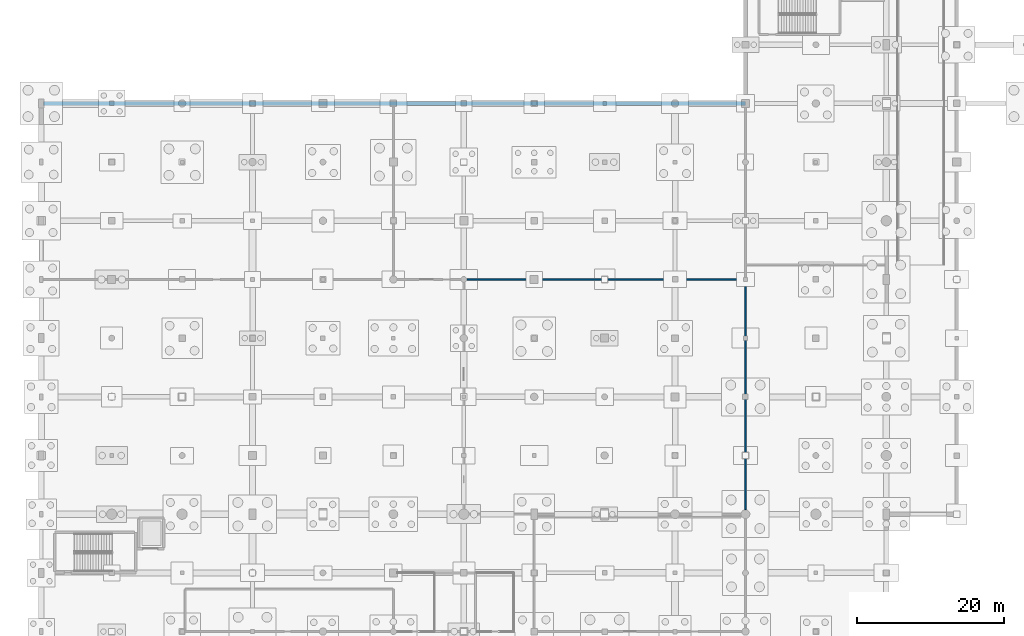
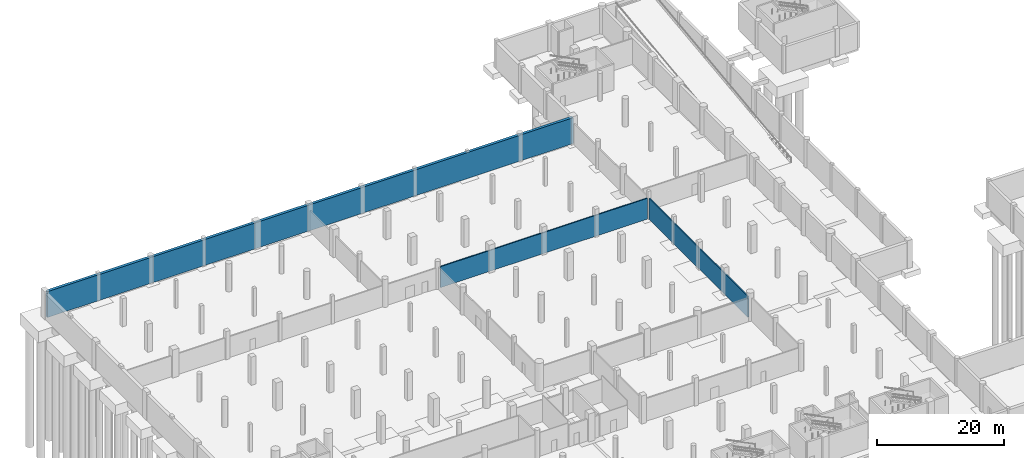
# One storey, part 23 of 44: 3 walls.
"""IFC4 building model written with IfcOpenShell, lengths in metres."""

from ifc_helpers import new_model, si_unit, direction, frame, frame_2d, origin, place, context, subcontext, project, spatial, rectangle, extrude, material, layer, layer_set, type_object, element, save


model = new_model("IFC4")

# Units and contexts
model_context = context("Model", 3, precision=1e-05, world=origin(), true_north=direction((0.0, 1.0)))
body_context = subcontext(model_context, "Body", "Model", "MODEL_VIEW")
ifc_project = project(units=[si_unit("LENGTHUNIT", "METRE"), si_unit("AREAUNIT", "SQUARE_METRE"), si_unit("VOLUMEUNIT", "CUBIC_METRE"), si_unit("PLANEANGLEUNIT", "RADIAN"), si_unit("MASSUNIT", "GRAM", prefix="KILO")], contexts=[model_context])

# Site, building, storey
site_placement = place(None, origin())
site = spatial("IfcSite", under=ifc_project, at=site_placement, CompositionType="ELEMENT")
building_placement = place(site_placement, origin())
building = spatial("IfcBuilding", under=site, at=building_placement, Name="Danafjord Basin Convention Centre", CompositionType="ELEMENT")
storey_placement = place(building_placement, frame((0.0, 0.0, -5.39990234375)))
storey = spatial("IfcBuildingStorey", under=building, at=storey_placement, Name="B1", CompositionType="ELEMENT", Elevation=-5.39990234375)

# Walls
ifc_material_1 = material(Name="Concrete C40/50", Category="concrete")
ifc_layer_1 = layer(ifc_material_1, 0.5)
ifc_layer_set_1 = layer_set([ifc_layer_1], Name="Concrete C40/50")
wall_type_1 = type_object("IfcWallType", Name="WALL-EW-RET500", PredefinedType="SHEAR", material=ifc_layer_set_1)
wall_1_placement = place(storey_placement, frame((0.284912109375, 112.0, 0.0), z_axis=(0.0, 0.0, 1.0), x_axis=(1.0, 0.0, 0.0)))
element("IfcWall", 1, at=wall_1_placement, inside=storey, type_object=wall_type_1, Name="B1 waterproofed basement retaining wall 30", PredefinedType="SHEAR", context=body_context, shape_type="SweptSolid", body=[
    extrude(rectangle(XDim=95.715087890625, YDim=0.5, at=frame_2d((47.857421875, 0.0))), origin(), (0.0, 0.0, 1.0), 4.97998046875),
])
ifc_material_2 = material(Name="Concrete C35/45", Category="concrete")
ifc_layer_2 = layer(ifc_material_2, 0.205078125)
ifc_layer_set_2 = layer_set([ifc_layer_2], Name="Concrete C35/45")
wall_type_2 = type_object("IfcWallType", Name="WALL-W-COMP205", PredefinedType="SOLIDWALL", material=ifc_layer_set_2)
wall_2_placement = place(storey_placement, frame((96.0, 56.639892578125, 0.0), z_axis=(0.0, 0.0, 1.0), x_axis=(0.0, 1.0, 0.0)))
element("IfcWall", 2, at=wall_2_placement, inside=storey, type_object=wall_type_2, Name="North-West Modular Crate and Carpet Depot east partition", PredefinedType="SOLIDWALL", context=body_context, shape_type="SweptSolid", body=[
    extrude(rectangle(XDim=31.080078125, YDim=0.205078125, at=frame_2d((15.5400390625, 0.0))), origin(), (0.0, 0.0, 1.0), 4.02001953125),
])
wall_3_placement = place(storey_placement, frame((95.719970703125, 88.0, 0.0), z_axis=(0.0, 0.0, 1.0), x_axis=(-1.0, 0.0, 0.0)))
element("IfcWall", 3, at=wall_3_placement, inside=storey, type_object=wall_type_2, Name="North-West Modular Crate and Carpet Depot north partition", PredefinedType="SOLIDWALL", context=body_context, shape_type="SweptSolid", body=[
    extrude(rectangle(XDim=37.679931640625, YDim=0.205078125, at=frame_2d((18.83984375, 0.0))), origin(), (0.0, 0.0, 1.0), 4.02001953125),
])

save(model, "model.ifc")
